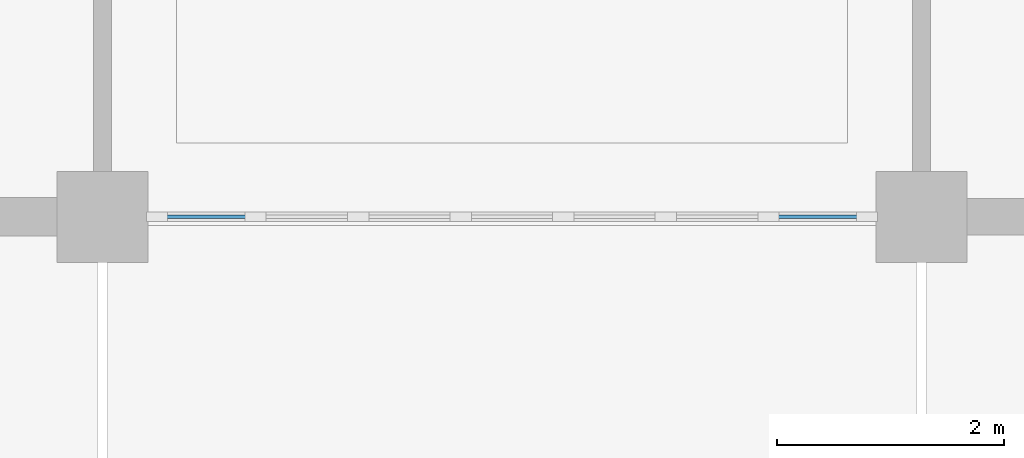
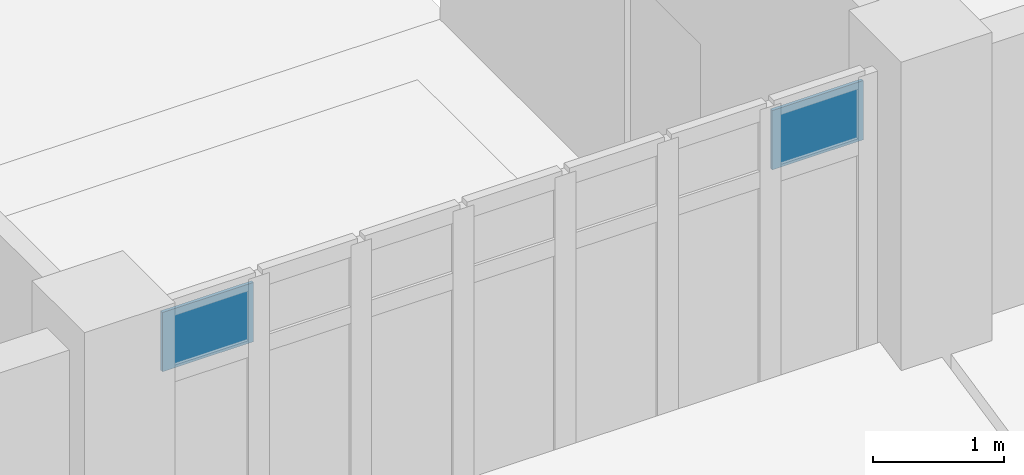
# One storey, part 46 of 70: 2 plates, 1 element without a shape of its own.
"""IFC4 building model written with IfcOpenShell, lengths in metres."""

from ifc_helpers import new_model, si_unit, direction, frame, origin, origin_2d, place, context, subcontext, project, spatial, rectangle, extrude, material, layer, layer_set, type_object, element, aggregate, save


model = new_model("IFC4")

# Units and contexts
model_context = context("Model", 3, precision=1e-05, world=origin(), true_north=direction((0.0, 1.0)))
body_context = subcontext(model_context, "Body", "Model", "MODEL_VIEW")
ifc_project = project(units=[si_unit("LENGTHUNIT", "METRE"), si_unit("AREAUNIT", "SQUARE_METRE"), si_unit("VOLUMEUNIT", "CUBIC_METRE"), si_unit("PLANEANGLEUNIT", "RADIAN"), si_unit("MASSUNIT", "GRAM", prefix="KILO")], contexts=[model_context])

# Site, building, storey
site_placement = place(None, origin())
site = spatial("IfcSite", under=ifc_project, at=site_placement, CompositionType="ELEMENT")
building_placement = place(site_placement, origin())
building = spatial("IfcBuilding", under=site, at=building_placement, Name="Kavelor Marine Aquarium", CompositionType="ELEMENT")
storey_placement = place(building_placement, frame((0.0, 0.0, 9.179931640625)))
storey = spatial("IfcBuildingStorey", under=building, at=storey_placement, Name="L02", CompositionType="ELEMENT", Elevation=9.179931640625)

# Curtain wall, plates
ifc_material_1 = material(Name="Thermally Broken Aluminium and Low-E Glass", Category="aluminium")
ifc_layer_1 = layer(ifc_material_1, 0.156005859375)
ifc_layer_set_1 = layer_set([ifc_layer_1], Name="CW-SYS2")
curtain_wall_type = type_object("IfcCurtainWallType", Name="CW-SYS2", PredefinedType="USERDEFINED", material=ifc_layer_set_1)
curtain_wall_placement = place(storey_placement, origin())
curtain_wall = element("IfcCurtainWall", 1, at=curtain_wall_placement, inside=storey, type_object=curtain_wall_type, Name="cw:x:L02:01_03", ObjectType="Curtain Wall", PredefinedType="USERDEFINED")
ifc_material_2 = material(Name="Solar-Control Double Low-E Glazing", Category="glass")
ifc_layer_2 = layer(ifc_material_2, 0.028076171875)
ifc_layer_set_2 = layer_set([ifc_layer_2], Name="CWP-02")
plate_type = type_object("IfcPlateType", Name="CWP-02", PredefinedType="CURTAIN_PANEL", material=ifc_layer_set_2)
plate_1_placement = place(storey_placement, frame((16.68798828125, 24.39990234375, 3.40234375), z_axis=(0.0, 0.0, 1.0), x_axis=(-1.0, 0.0, 0.0)))
plate_1 = element("IfcPlate", 2, at=plate_1_placement, type_object=plate_type, Name="CW02 panel 1.3", PredefinedType="CURTAIN_PANEL", context=body_context, shape_type="SweptSolid", body=[
    extrude(rectangle(XDim=0.803955078125, YDim=0.028076171875, at=origin_2d()), origin(), (0.0, 0.0, 1.0), 0.552490234375),
])
plate_2_placement = place(storey_placement, frame((11.31201171875, 24.39990234375, 3.40234375), z_axis=(0.0, 0.0, 1.0), x_axis=(-1.0, 0.0, 0.0)))
plate_2 = element("IfcPlate", 3, at=plate_2_placement, type_object=plate_type, Name="CW02 panel 7.3", PredefinedType="CURTAIN_PANEL", context=body_context, shape_type="SweptSolid", body=[
    extrude(rectangle(XDim=0.803955078125, YDim=0.028076171875, at=origin_2d()), origin(), (0.0, 0.0, 1.0), 0.552490234375),
])
aggregate(curtain_wall, [plate_1, plate_2])

save(model, "model.ifc")
